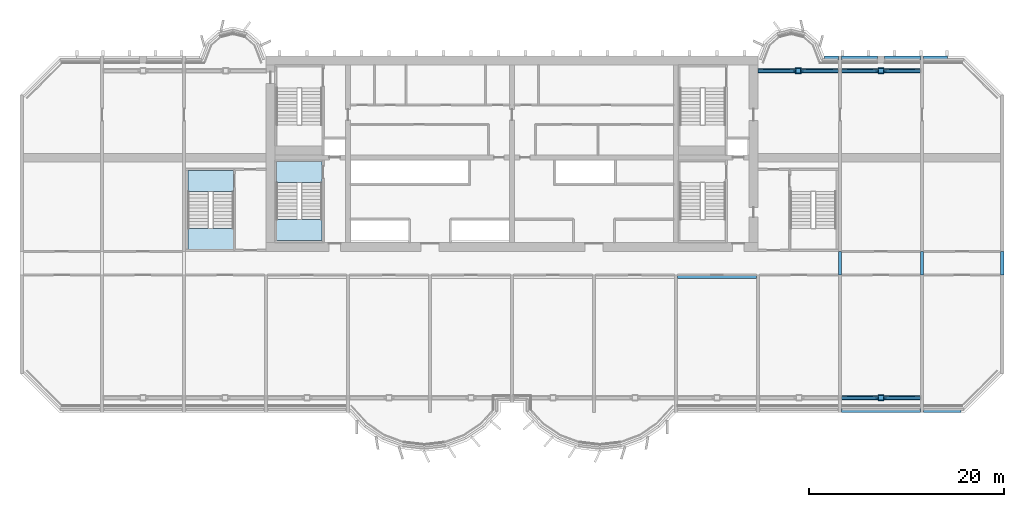
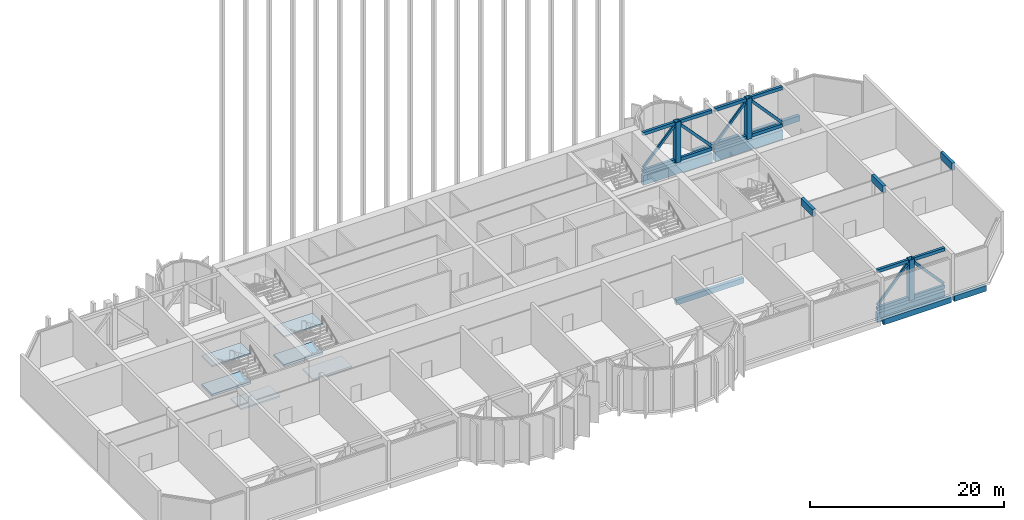
# One storey, part 3 of 17: 21 members, 13 beams, 6 slabs, 2 elements without a shape of their own.
"""IFC4 building model written with IfcOpenShell, lengths in metres."""

from ifc_helpers import new_model, si_unit, direction, frame, origin, origin_2d, place, context, subcontext, project, spatial, polyline, rectangle, hollow_rectangle, outline, extrude, source, transform, mapped, material, layer, layer_set, material_profile, profile_set, type_object, element, aggregate, save


model = new_model("IFC4")

# Units and contexts
model_context = context("Model", 3, precision=1e-05, world=origin(), true_north=direction((0.0, 1.0)))
body_context = subcontext(model_context, "Body", "Model", "MODEL_VIEW")
ifc_project = project(units=[si_unit("LENGTHUNIT", "METRE"), si_unit("AREAUNIT", "SQUARE_METRE"), si_unit("VOLUMEUNIT", "CUBIC_METRE"), si_unit("PLANEANGLEUNIT", "RADIAN"), si_unit("MASSUNIT", "GRAM", prefix="KILO")], contexts=[model_context])

# Site, building, storey
site_placement = place(None, origin())
site = spatial("IfcSite", under=ifc_project, at=site_placement, CompositionType="ELEMENT")
building_placement = place(site_placement, origin())
building = spatial("IfcBuilding", under=site, at=building_placement, Name="Vanashikhar Sky Hotel", CompositionType="ELEMENT")
storey_placement = place(building_placement, frame((0.0, 0.0, 140.800048828125)))
storey = spatial("IfcBuildingStorey", under=building, at=storey_placement, Name="L34", CompositionType="ELEMENT", Elevation=140.800048828125)

# Beams
ifc_material_1 = material(Name="Concrete M50", Category="concrete")
ifc_material_profile_1 = material_profile(ifc_material_1, rectangle(XDim=0.35009765625, YDim=0.89990234375, at=origin_2d()))
ifc_profile_set_1 = profile_set([ifc_material_profile_1], Name="RC 350x900 beam Concrete M50")
beam_type_1 = type_object("IfcBeamType", Name="RC 350x900 beam Concrete M50", PredefinedType="LINTEL", material=ifc_profile_set_1)
shared_shape_1 = source(origin(), body_context, "Body", "SweptSolid", [
    extrude(rectangle(XDim=0.35009765625, YDim=0.89990234375, at=origin_2d()), origin(), (0.0, 0.0, 1.0), 2.39990234375),
])
for number, where, z_axis, x_axis, name in (
    (1, (84.0, 19.60009765625, 4.669921875), (0.0, 1.0, 0.0), (-1.0, 0.0, 0.0), "LB-L34-XW11"),
    (2, (92.39990234375, 19.60009765625, 4.669921875), (0.0, 1.0, 0.0), (-1.0, 0.0, 0.0), "LB-L34-XW12"),
    (3, (100.625, 19.60009765625, 4.669921875), (0.0, 1.0, 0.0), (-1.0, 0.0, 0.0), "LB-L34-XW13"),
):
    element("IfcBeam", number, at=place(storey_placement, frame(where, z_axis=z_axis, x_axis=x_axis)), inside=storey, type_object=beam_type_1, Name=name, PredefinedType="LINTEL", context=body_context, shape_type="MappedRepresentation", body=[
        mapped(shared_shape_1, transform((0.0, 0.0, 0.0), scale=1.0)),
    ])
ifc_material_profile_2 = material_profile(ifc_material_1, rectangle(XDim=0.39990234375, YDim=0.699951171875, at=origin_2d()))
ifc_profile_set_2 = profile_set([ifc_material_profile_2], Name="RC 400x700 beam Concrete M50")
beam_type_2 = type_object("IfcBeamType", Name="RC 400x700 beam Concrete M50", PredefinedType="SPANDREL", material=ifc_profile_set_2)
shared_shape_2 = source(origin(), body_context, "Body", "SweptSolid", [
    extrude(rectangle(XDim=0.39990234375, YDim=0.699951171875, at=origin_2d()), origin(), (0.0, 0.0, 1.0), 8.050048828125),
])
beam_1_placement = place(storey_placement, frame((84.175048828125, 5.699951171875, -0.630126953125), z_axis=(1.0, 0.0, 0.0), x_axis=(0.0, 1.0, 0.0)))
element("IfcBeam", 4, at=beam_1_placement, inside=storey, type_object=beam_type_2, Name="EB-L34-F07", PredefinedType="SPANDREL", context=body_context, shape_type="MappedRepresentation", body=[
    mapped(shared_shape_2, transform((0.0, 0.0, 0.0), scale=1.0)),
])
ifc_material_profile_3 = material_profile(ifc_material_1, rectangle(XDim=0.39990234375, YDim=0.699951171875, at=origin_2d()))
ifc_profile_set_3 = profile_set([ifc_material_profile_3], Name="RC 400x700 cantilever beam Concrete M50")
beam_type_3 = type_object("IfcBeamType", Name="RC 400x700 cantilever beam Concrete M50", PredefinedType="SPANDREL", material=ifc_profile_set_3)
shared_shape_3 = source(origin(), body_context, "Body", "SweptSolid", [
    extrude(rectangle(XDim=0.39990234375, YDim=0.699951171875, at=origin_2d()), origin(), (0.0, 0.0, 1.0), 3.824951171875),
])
beam_2_placement = place(storey_placement, frame((92.574951171875, 5.699951171875, -0.630126953125), z_axis=(1.0, 0.0, 0.0), x_axis=(0.0, 1.0, 0.0)))
element("IfcBeam", 5, at=beam_2_placement, inside=storey, type_object=beam_type_3, Name="EB-L34-F08", PredefinedType="SPANDREL", context=body_context, shape_type="MappedRepresentation", body=[
    mapped(shared_shape_3, transform((0.0, 0.0, 0.0), scale=1.0)),
])
shared_shape_4 = source(origin(), body_context, "Body", "SweptSolid", [
    extrude(rectangle(XDim=0.39990234375, YDim=0.699951171875, at=origin_2d()), origin(), (0.0, 0.0, 1.0), 3.675048828125),
])
for number, where, z_axis, x_axis, name in (
    (6, (84.175048828125, 41.800048828125, -0.630126953125), (1.0, 0.0, 0.0), (0.0, 1.0, 0.0), "EB-L34-R05"),
    (7, (88.550048828125, 41.800048828125, -0.630126953125), (1.0, 0.0, 0.0), (0.0, 1.0, 0.0), "EB-L34-R06"),
):
    element("IfcBeam", number, at=place(storey_placement, frame(where, z_axis=z_axis, x_axis=x_axis)), inside=storey, type_object=beam_type_2, Name=name, PredefinedType="SPANDREL", context=body_context, shape_type="MappedRepresentation", body=[
        mapped(shared_shape_4, transform((0.0, 0.0, 0.0), scale=1.0)),
    ])
shared_shape_5 = source(origin(), body_context, "Body", "SweptSolid", [
    extrude(rectangle(XDim=0.39990234375, YDim=0.699951171875, at=origin_2d()), origin(), (0.0, 0.0, 1.0), 1.425048828125),
])
beam_3_placement = place(storey_placement, frame((82.39990234375, 41.800048828125, -0.630126953125), z_axis=(1.0, 0.0, 0.0), x_axis=(0.0, 1.0, 0.0)))
element("IfcBeam", 8, at=beam_3_placement, inside=storey, type_object=beam_type_3, Name="EB-L34-R07", PredefinedType="SPANDREL", context=body_context, shape_type="MappedRepresentation", body=[
    mapped(shared_shape_5, transform((0.0, 0.0, 0.0), scale=1.0)),
])
shared_shape_6 = source(origin(), body_context, "Body", "SweptSolid", [
    extrude(rectangle(XDim=0.39990234375, YDim=0.699951171875, at=origin_2d()), origin(), (0.0, 0.0, 1.0), 2.429931640625),
])
beam_4_placement = place(storey_placement, frame((92.574951171875, 41.800048828125, -0.630126953125), z_axis=(1.0, 0.0, 0.0), x_axis=(0.0, 1.0, 0.0)))
element("IfcBeam", 9, at=beam_4_placement, inside=storey, type_object=beam_type_3, Name="EB-L34-R08", PredefinedType="SPANDREL", context=body_context, shape_type="MappedRepresentation", body=[
    mapped(shared_shape_6, transform((0.0, 0.0, 0.0), scale=1.0)),
])
ifc_material_profile_4 = material_profile(ifc_material_1, rectangle(XDim=0.39990234375, YDim=0.64990234375, at=origin_2d()))
ifc_profile_set_4 = profile_set([ifc_material_profile_4], Name="RC 400x650 beam Concrete M50")
beam_type_4 = type_object("IfcBeamType", Name="RC 400x650 beam Concrete M50", PredefinedType="BEAM", material=ifc_profile_set_4)
shared_shape_7 = source(origin(), body_context, "Body", "SweptSolid", [
    extrude(rectangle(XDim=0.39990234375, YDim=0.64990234375, at=origin_2d()), origin(), (0.0, 0.0, 1.0), 8.050048828125),
])
beam_5_placement = place(storey_placement, frame((67.375, 19.39990234375, -0.60498046875), z_axis=(1.0, 0.0, 0.0), x_axis=(0.0, 1.0, 0.0)))
element("IfcBeam", 10, at=beam_5_placement, inside=storey, type_object=beam_type_4, Name="CB-L34-06", PredefinedType="BEAM", context=body_context, shape_type="MappedRepresentation", body=[
    mapped(shared_shape_7, transform((0.0, 0.0, 0.0), scale=1.0)),
])
ifc_material_profile_5 = material_profile(ifc_material_1, rectangle(XDim=0.449951171875, YDim=1.199951171875, at=origin_2d()))
ifc_profile_set_5 = profile_set([ifc_material_profile_5], Name="RC 450x1200 beam Concrete M50")
beam_type_5 = type_object("IfcBeamType", Name="RC 450x1200 beam Concrete M50", PredefinedType="BEAM", material=ifc_profile_set_5)
shared_shape_8 = source(origin(), body_context, "Body", "SweptSolid", [
    extrude(rectangle(XDim=0.449951171875, YDim=1.199951171875, at=origin_2d()), origin(), (0.0, 0.0, 1.0), 8.050048828125),
])
for number, where, z_axis, x_axis, name in (
    (11, (84.175048828125, 7.0, -0.880126953125), (1.0, 0.0, 0.0), (0.0, 1.0, 0.0), "TG-L34-F10"),
    (12, (84.175048828125, 40.5, -0.880126953125), (1.0, 0.0, 0.0), (0.0, 1.0, 0.0), "TG-L34-R13"),
):
    element("IfcBeam", number, at=place(storey_placement, frame(where, z_axis=z_axis, x_axis=x_axis)), inside=storey, type_object=beam_type_5, Name=name, PredefinedType="BEAM", context=body_context, shape_type="MappedRepresentation", body=[
        mapped(shared_shape_8, transform((0.0, 0.0, 0.0), scale=1.0)),
    ])

# Members
ifc_material_2 = material(Name="Steel S355", Category="steel")
ifc_material_profile_6 = material_profile(ifc_material_2, hollow_rectangle(XDim=0.60009765625, YDim=0.60009765625, WallThickness=0.030029296875, at=origin_2d()))
ifc_profile_set_6 = profile_set([ifc_material_profile_6], Name="RHS 600x600x30 Steel S355")
member_type_1 = type_object("IfcMemberType", Name="RHS 600x600x30 Steel S355", PredefinedType="POST", material=ifc_profile_set_6)
shared_shape_9 = source(origin(), body_context, "Body", "SweptSolid", [
    extrude(hollow_rectangle(XDim=0.60009765625, YDim=0.60009765625, WallThickness=0.030029296875, at=origin_2d()), origin(), (0.0, 0.0, 1.0), 5.119873046875),
])
for number, where, z_axis, x_axis, name in (
    (13, (88.199951171875, 7.0, 0.0), (0.0, 0.0, 1.0), (1.0, 0.0, 0.0), "BP-L34-F10"),
    (14, (88.199951171875, 40.5, 0.0), (0.0, 0.0, 1.0), (1.0, 0.0, 0.0), "BP-L34-R13"),
    (15, (79.71240234375, 40.5, 0.0), (0.0, 0.0, 1.0), (1.0, 0.0, 0.0), "BP-L34-R14"),
):
    element("IfcMember", number, at=place(storey_placement, frame(where, z_axis=z_axis, x_axis=x_axis)), inside=storey, type_object=member_type_1, Name=name, PredefinedType="POST", context=body_context, shape_type="MappedRepresentation", body=[
        mapped(shared_shape_9, transform((0.0, 0.0, 0.0), scale=1.0)),
    ])
ifc_material_profile_7 = material_profile(ifc_material_2, hollow_rectangle(XDim=0.300048828125, YDim=0.39990234375, WallThickness=0.01611328125, at=origin_2d()))
ifc_profile_set_7 = profile_set([ifc_material_profile_7], Name="RHS 400x300x16 Steel S355")
member_type_2 = type_object("IfcMemberType", Name="RHS 400x300x16 Steel S355", PredefinedType="CHORD", material=ifc_profile_set_7)
shared_shape_10 = source(origin(), body_context, "Body", "SweptSolid", [
    extrude(hollow_rectangle(XDim=0.300048828125, YDim=0.39990234375, WallThickness=0.01611328125, at=origin_2d()), origin(), (0.0, 0.0, 1.0), 3.72509765625),
])
for number, where, z_axis, x_axis, name in (
    (16, (88.5, 7.0, 0.199951171875), (1.0, 0.0, 0.0), (0.0, 1.0, 0.0), "BC-L34-F10BR"),
    (17, (88.5, 7.0, 4.919921875), (1.0, 0.0, 0.0), (0.0, 1.0, 0.0), "BC-L34-F10TR"),
    (18, (88.5, 40.5, 0.199951171875), (1.0, 0.0, 0.0), (0.0, 1.0, 0.0), "BC-L34-R13BR"),
    (19, (88.5, 40.5, 4.919921875), (1.0, 0.0, 0.0), (0.0, 1.0, 0.0), "BC-L34-R13TR"),
):
    element("IfcMember", number, at=place(storey_placement, frame(where, z_axis=z_axis, x_axis=x_axis)), inside=storey, type_object=member_type_2, Name=name, PredefinedType="CHORD", context=body_context, shape_type="MappedRepresentation", body=[
        mapped(shared_shape_10, transform((0.0, 0.0, 0.0), scale=1.0)),
    ])
ifc_material_profile_8 = material_profile(ifc_material_2, hollow_rectangle(XDim=0.199951171875, YDim=0.300048828125, WallThickness=0.011962890625, at=origin_2d()))
ifc_profile_set_8 = profile_set([ifc_material_profile_8], Name="RHS 300x200x12 Steel S355")
member_type_3 = type_object("IfcMemberType", Name="RHS 300x200x12 Steel S355", PredefinedType="BRACE", material=ifc_profile_set_8)
shared_shape_11 = source(origin(), body_context, "Body", "SweptSolid", [
    extrude(hollow_rectangle(XDim=0.199951171875, YDim=0.300048828125, WallThickness=0.011962890625, at=origin_2d()), origin(), (0.0, 0.0, 1.0), 5.285400390625),
])
for number, where, z_axis, x_axis, name in (
    (20, (92.135009765625, 7.0, 0.599853515625), (-0.670716146673, 0.0, 0.741714129967), (0.0, -1.0, 0.0), "BD-L34-F10R"),
    (21, (92.135009765625, 40.5, 0.599853515625), (-0.670716146673, 0.0, 0.741714129967), (0.0, -1.0, 0.0), "BD-L34-R13R"),
):
    element("IfcMember", number, at=place(storey_placement, frame(where, z_axis=z_axis, x_axis=x_axis)), inside=storey, type_object=member_type_3, Name=name, PredefinedType="BRACE", context=body_context, shape_type="MappedRepresentation", body=[
        mapped(shared_shape_11, transform((0.0, 0.0, 0.0), scale=1.0)),
    ])
shared_shape_12 = source(origin(), body_context, "Body", "SweptSolid", [
    extrude(hollow_rectangle(XDim=0.300048828125, YDim=0.39990234375, WallThickness=0.01611328125, at=origin_2d()), origin(), (0.0, 0.0, 1.0), 3.724853515625),
])
for number, where, z_axis, x_axis, name in (
    (22, (84.175048828125, 7.0, 0.199951171875), (1.0, 0.0, 0.0), (0.0, 1.0, 0.0), "BC-L34-F10BL"),
    (23, (84.175048828125, 7.0, 4.919921875), (1.0, 0.0, 0.0), (0.0, 1.0, 0.0), "BC-L34-F10TL"),
    (24, (84.175048828125, 40.5, 0.199951171875), (1.0, 0.0, 0.0), (0.0, 1.0, 0.0), "BC-L34-R13BL"),
    (25, (84.175048828125, 40.5, 4.919921875), (1.0, 0.0, 0.0), (0.0, 1.0, 0.0), "BC-L34-R13TL"),
):
    element("IfcMember", number, at=place(storey_placement, frame(where, z_axis=z_axis, x_axis=x_axis)), inside=storey, type_object=member_type_2, Name=name, PredefinedType="CHORD", context=body_context, shape_type="MappedRepresentation", body=[
        mapped(shared_shape_12, transform((0.0, 0.0, 0.0), scale=1.0)),
    ])
shared_shape_13 = source(origin(), body_context, "Body", "SweptSolid", [
    extrude(hollow_rectangle(XDim=0.199951171875, YDim=0.300048828125, WallThickness=0.011962890625, at=origin_2d()), origin(), (0.0, 0.0, 1.0), 5.285400390625),
])
for number, where, z_axis, x_axis, name in (
    (26, (84.264892578125, 7.0, 0.599853515625), (0.670741557866, 0.0, 0.741691150379), (0.0, 1.0, 0.0), "BD-L34-F10L"),
    (27, (84.264892578125, 40.5, 0.599853515625), (0.670741557866, 0.0, 0.741691150379), (0.0, 1.0, 0.0), "BD-L34-R13L"),
):
    element("IfcMember", number, at=place(storey_placement, frame(where, z_axis=z_axis, x_axis=x_axis)), inside=storey, type_object=member_type_3, Name=name, PredefinedType="BRACE", context=body_context, shape_type="MappedRepresentation", body=[
        mapped(shared_shape_13, transform((0.0, 0.0, 0.0), scale=1.0)),
    ])

# Beam
shared_shape_14 = source(origin(), body_context, "Body", "SweptSolid", [
    extrude(rectangle(XDim=0.449951171875, YDim=1.199951171875, at=origin_2d()), origin(), (0.0, 0.0, 1.0), 8.224853515625),
])
beam_6_placement = place(storey_placement, frame((75.60009765625, 40.5, -0.880126953125), z_axis=(1.0, 0.0, 0.0), x_axis=(0.0, 1.0, 0.0)))
element("IfcBeam", 28, at=beam_6_placement, inside=storey, type_object=beam_type_5, Name="TG-L34-R14", PredefinedType="BEAM", context=body_context, shape_type="MappedRepresentation", body=[
    mapped(shared_shape_14, transform((0.0, 0.0, 0.0), scale=1.0)),
])

# Members
shared_shape_15 = source(origin(), body_context, "Body", "SweptSolid", [
    extrude(hollow_rectangle(XDim=0.300048828125, YDim=0.39990234375, WallThickness=0.01611328125, at=origin_2d()), origin(), (0.0, 0.0, 1.0), 3.8125),
])
for number, where, z_axis, x_axis, name in (
    (29, (75.60009765625, 40.5, 0.199951171875), (1.0, 0.0, 0.0), (0.0, 1.0, 0.0), "BC-L34-R14BL"),
    (30, (80.012451171875, 40.5, 0.199951171875), (1.0, 0.0, 0.0), (0.0, 1.0, 0.0), "BC-L34-R14BR"),
    (31, (75.60009765625, 40.5, 4.919921875), (1.0, 0.0, 0.0), (0.0, 1.0, 0.0), "BC-L34-R14TL"),
    (32, (80.012451171875, 40.5, 4.919921875), (1.0, 0.0, 0.0), (0.0, 1.0, 0.0), "BC-L34-R14TR"),
):
    element("IfcMember", number, at=place(storey_placement, frame(where, z_axis=z_axis, x_axis=x_axis)), inside=storey, type_object=member_type_2, Name=name, PredefinedType="CHORD", context=body_context, shape_type="MappedRepresentation", body=[
        mapped(shared_shape_15, transform((0.0, 0.0, 0.0), scale=1.0)),
    ])
shared_shape_16 = source(origin(), body_context, "Body", "SweptSolid", [
    extrude(hollow_rectangle(XDim=0.199951171875, YDim=0.300048828125, WallThickness=0.011962890625, at=origin_2d()), origin(), (0.0, 0.0, 1.0), 5.344482421875),
])
for number, where, z_axis, x_axis, name in (
    (33, (75.68994140625, 40.5, 0.599853515625), (0.679688545884, 0.0, 0.73350083885), (0.0, 1.0, 0.0), "BD-L34-R14L"),
    (34, (83.735107421875, 40.5, 0.599853515625), (-0.679688545884, 0.0, 0.73350083885), (0.0, -1.0, 0.0), "BD-L34-R14R"),
):
    element("IfcMember", number, at=place(storey_placement, frame(where, z_axis=z_axis, x_axis=x_axis)), inside=storey, type_object=member_type_3, Name=name, PredefinedType="BRACE", context=body_context, shape_type="MappedRepresentation", body=[
        mapped(shared_shape_16, transform((0.0, 0.0, 0.0), scale=1.0)),
    ])

# Stair, slabs
ifc_material_3 = material(Name="Concrete M40", Category="concrete")
stair_type = type_object("IfcStairType", Name="Exit stair 2150", PredefinedType="DOUBLE_RETURN_STAIR", material=ifc_material_3)
stair_1_placement = place(storey_placement, origin())
stair_1 = element("IfcStair", 35, at=stair_1_placement, inside=storey, type_object=stair_type, Name="L34 Exit stair 1", PredefinedType="DOUBLE_RETURN_STAIR")
ifc_layer_1 = layer(ifc_material_3, 0.199951171875)
ifc_layer_set_1 = layer_set([ifc_layer_1], Name="Stair landing 200")
slab_type_1 = type_object("IfcSlabType", Name="Stair landing 200", PredefinedType="LANDING", material=ifc_layer_set_1)
shared_shape_17 = source(origin(), body_context, "Body", "SweptSolid", [
    extrude(outline(polyline([(30.949951171875, 29.050048828125), (30.949951171875, 31.199951171875), (26.300048828125, 31.199951171875), (26.300048828125, 29.050048828125), (30.949951171875, 29.050048828125)])), origin(), (0.0, 0.0, 1.0), 0.199951171875),
])
slab_1_placement = place(storey_placement, frame((0.0, 0.0, 3.39990234375)))
slab_1 = element("IfcSlab", 36, at=slab_1_placement, type_object=slab_type_1, Name="ST-C1 landing 2", PredefinedType="LANDING", context=body_context, shape_type="MappedRepresentation", body=[
    mapped(shared_shape_17, transform((0.0, 0.0, 0.0), scale=1.0)),
])
shared_shape_18 = source(origin(), body_context, "Body", "SweptSolid", [
    extrude(outline(polyline([(30.949951171875, 23.10009765625), (30.949951171875, 25.25), (26.300048828125, 25.25), (26.300048828125, 23.10009765625), (30.949951171875, 23.10009765625)])), origin(), (0.0, 0.0, 1.0), 0.2001953125),
])
slab_2_placement = place(storey_placement, frame((0.0, 0.0, 1.599853515625)))
slab_2 = element("IfcSlab", 37, at=slab_2_placement, type_object=slab_type_1, Name="ST-C1 landing 1", PredefinedType="LANDING", context=body_context, shape_type="MappedRepresentation", body=[
    mapped(shared_shape_18, transform((0.0, 0.0, 0.0), scale=1.0)),
])
aggregate(stair_1, [slab_2, slab_1])

# Slab
ifc_layer_2 = layer(ifc_material_3, 0.280029296875)
ifc_layer_set_2 = layer_set([ifc_layer_2], Name="Stair floor landing 280")
slab_type_2 = type_object("IfcSlabType", Name="Stair floor landing 280", PredefinedType="LANDING", material=ifc_layer_set_2)
shared_shape_19 = source(origin(), body_context, "Body", "SweptSolid", [
    extrude(outline(polyline([(30.949951171875, 29.050048828125), (30.949951171875, 31.199951171875), (26.300048828125, 31.199951171875), (26.300048828125, 29.050048828125), (30.949951171875, 29.050048828125)])), origin(), (0.0, 0.0, 1.0), 0.280029296875),
])
slab_3_placement = place(storey_placement, frame((0.0, 0.0, -0.280029296875)))
element("IfcSlab", 38, at=slab_3_placement, inside=storey, type_object=slab_type_2, Name="Exit stair 1 floor landing", PredefinedType="LANDING", context=body_context, shape_type="MappedRepresentation", body=[
    mapped(shared_shape_19, transform((0.0, 0.0, 0.0), scale=1.0)),
])

# Stair, slabs
stair_2_placement = place(storey_placement, origin())
stair_2 = element("IfcStair", 39, at=stair_2_placement, inside=storey, type_object=stair_type, Name="L34 Exit stair 3", PredefinedType="DOUBLE_RETURN_STAIR")
shared_shape_20 = source(origin(), body_context, "Body", "SweptSolid", [
    extrude(outline(polyline([(21.85009765625, 28.14990234375), (21.85009765625, 30.300048828125), (17.199951171875, 30.300048828125), (17.199951171875, 28.14990234375), (21.85009765625, 28.14990234375)])), origin(), (0.0, 0.0, 1.0), 0.199951171875),
])
slab_4_placement = place(storey_placement, frame((0.0, 0.0, 3.39990234375)))
slab_4 = element("IfcSlab", 40, at=slab_4_placement, type_object=slab_type_1, Name="ST-W landing 2", PredefinedType="LANDING", context=body_context, shape_type="MappedRepresentation", body=[
    mapped(shared_shape_20, transform((0.0, 0.0, 0.0), scale=1.0)),
])
shared_shape_21 = source(origin(), body_context, "Body", "SweptSolid", [
    extrude(outline(polyline([(21.85009765625, 22.199951171875), (21.85009765625, 24.35009765625), (17.199951171875, 24.35009765625), (17.199951171875, 22.199951171875), (21.85009765625, 22.199951171875)])), origin(), (0.0, 0.0, 1.0), 0.2001953125),
])
slab_5_placement = place(storey_placement, frame((0.0, 0.0, 1.599853515625)))
slab_5 = element("IfcSlab", 41, at=slab_5_placement, type_object=slab_type_1, Name="ST-W landing 1", PredefinedType="LANDING", context=body_context, shape_type="MappedRepresentation", body=[
    mapped(shared_shape_21, transform((0.0, 0.0, 0.0), scale=1.0)),
])
aggregate(stair_2, [slab_5, slab_4])

# Slab
shared_shape_22 = source(origin(), body_context, "Body", "SweptSolid", [
    extrude(outline(polyline([(21.85009765625, 28.14990234375), (21.85009765625, 30.300048828125), (17.199951171875, 30.300048828125), (17.199951171875, 28.14990234375), (21.85009765625, 28.14990234375)])), origin(), (0.0, 0.0, 1.0), 0.280029296875),
])
slab_6_placement = place(storey_placement, frame((0.0, 0.0, -0.280029296875)))
element("IfcSlab", 42, at=slab_6_placement, inside=storey, type_object=slab_type_2, Name="Exit stair 3 floor landing", PredefinedType="LANDING", context=body_context, shape_type="MappedRepresentation", body=[
    mapped(shared_shape_22, transform((0.0, 0.0, 0.0), scale=1.0)),
])

save(model, "model.ifc")
